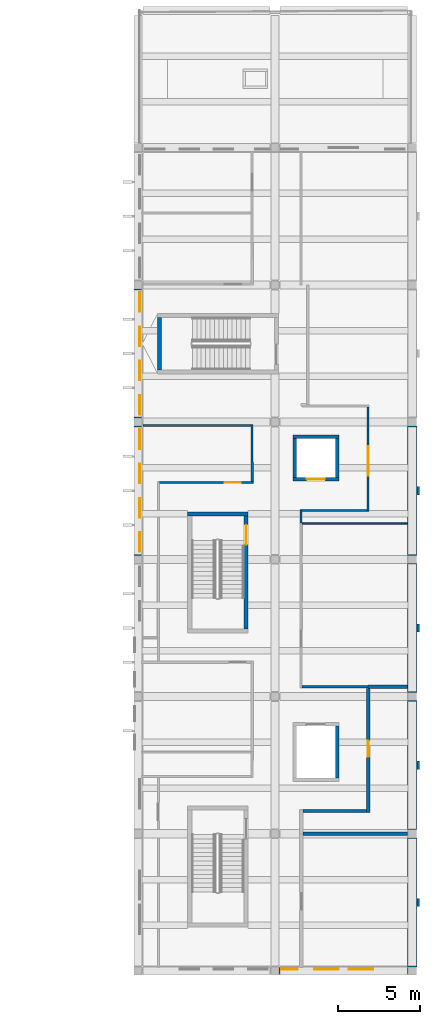
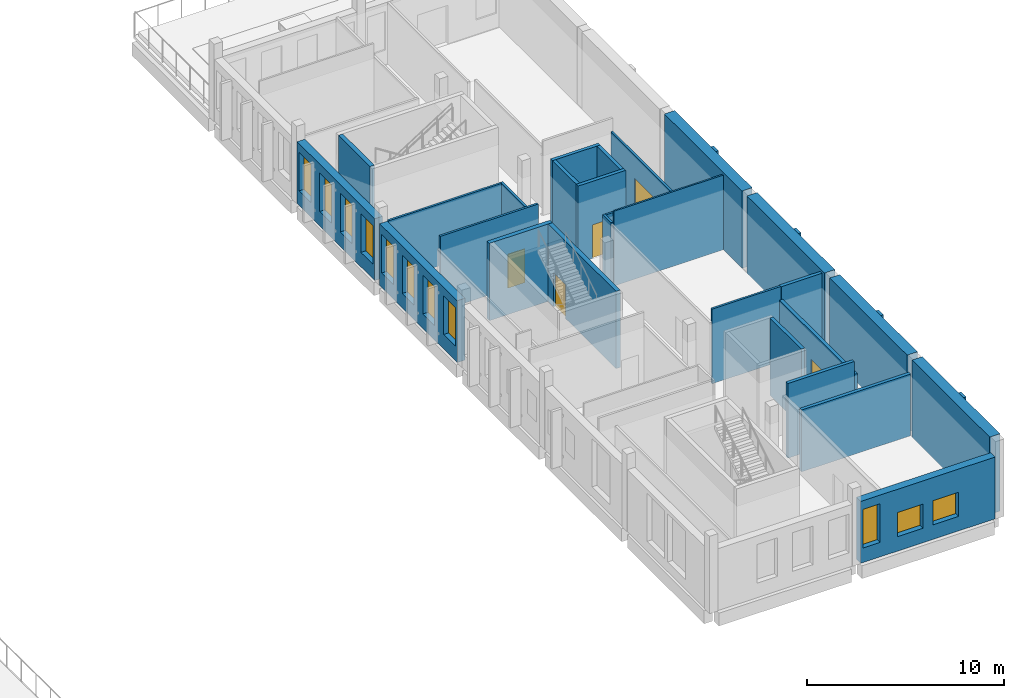
# One storey, part 16 of 79: 31 walls, 11 windows, 5 doors, 16 openings.
"""IFC4 building model written with IfcOpenShell, lengths in metres."""

from ifc_helpers import new_model, si_unit, direction, frame, frame_2d, origin, place, context, subcontext, project, spatial, rectangle, extrude, material, layer, layer_set, type_object, element, fill, save


model = new_model("IFC4")

# Units and contexts
model_context = context("Model", 3, precision=1e-05, world=origin(), true_north=direction((0.0, 1.0)))
body_context = subcontext(model_context, "Body", "Model", "MODEL_VIEW")
ifc_project = project(units=[si_unit("LENGTHUNIT", "METRE"), si_unit("AREAUNIT", "SQUARE_METRE"), si_unit("VOLUMEUNIT", "CUBIC_METRE"), si_unit("PLANEANGLEUNIT", "RADIAN"), si_unit("MASSUNIT", "GRAM", prefix="KILO")], contexts=[model_context])

# Site, building, storey
site_placement = place(None, origin())
site = spatial("IfcSite", under=ifc_project, at=site_placement, CompositionType="ELEMENT")
building_placement = place(site_placement, origin())
building = spatial("IfcBuilding", under=site, at=building_placement, Name="Larchfold Concert Hall", CompositionType="ELEMENT")
storey_placement = place(building_placement, frame((0.0, 0.0, 14.39990234375)))
storey = spatial("IfcBuildingStorey", under=building, at=storey_placement, Name="L03", CompositionType="ELEMENT", Elevation=14.39990234375)

# Wall
ifc_material_1 = material(Name="Plasterboard partition on steel studs", Category="steel")
ifc_layer_1 = layer(ifc_material_1, 0.199951171875)
ifc_layer_set_1 = layer_set([ifc_layer_1], Name="Plasterboard partition on steel studs")
wall_type_1 = type_object("IfcWallType", Name="Acoustic partition 200", PredefinedType="PARTITIONING", material=ifc_layer_set_1)
wall_1_placement = place(storey_placement, frame((94.699951171875, 9.0, 0.0), z_axis=(0.0, 0.0, 1.0), x_axis=(1.0, 0.0, 0.0)))
element("IfcWall", 1, at=wall_1_placement, inside=storey, type_object=wall_type_1, Name="Partition IW0017", PredefinedType="PARTITIONING", context=body_context, shape_type="SweptSolid", body=[
    extrude(rectangle(XDim=6.400146484375, YDim=0.199951171875, at=frame_2d((3.2001953125, 0.0))), origin(), (0.0, 0.0, 1.0), 3.840087890625),
])

# Wall, opening, door
wall_2_placement = place(storey_placement, frame((98.699951171875, 10.300048828125, 0.0), z_axis=(0.0, 0.0, 1.0), x_axis=(-0.000128497541, 0.999999991744, 0.0)))
wall_2 = element("IfcWall", 2, at=wall_2_placement, inside=storey, type_object=wall_type_1, Name="Partition IW0019", PredefinedType="PARTITIONING", context=body_context, shape_type="SweptSolid", body=[
    extrude(rectangle(XDim=7.599853515625, YDim=0.199951171875, at=frame_2d((3.7998046875, 0.0))), origin(), (0.0, 0.0, 1.0), 3.840087890625),
])
opening_1_placement = place(wall_2_placement, frame((3.409912109375, 0.0, 0.0)))
opening_1 = element("IfcOpeningElement", 3, at=opening_1_placement, cuts=wall_2, Name="Opening D-L03-109", PredefinedType="OPENING", context=body_context, shape_type="SweptSolid", body=[
    extrude(rectangle(XDim=1.0, YDim=2.10009765625, at=frame_2d((0.5, 1.050048828125))), frame((0.0, 0.10986328125, 0.0), z_axis=(0.0, -1.0, 0.0), x_axis=(1.0, 0.0, 0.0)), (0.0, 0.0, 1.0), 0.219970703125),
])
ifc_material_2 = material(Name="Timber door leaf", Category="wood")
door_type_1 = type_object("IfcDoorType", Name="Practice and studio door, acoustic 1000 x 2100 FD30S", OperationType="SINGLE_SWING_LEFT", PredefinedType="DOOR", material=ifc_material_2)
door_1_placement = place(opening_1_placement, origin())
door_1 = element("IfcDoor", 4, at=door_1_placement, inside=storey, type_object=door_type_1, Name="Door D-L03-109", OperationType="SINGLE_SWING_RIGHT", OverallHeight=2.10009765625, OverallWidth=1.0, PredefinedType="DOOR", context=body_context, shape_type="SweptSolid", body=[
    extrude(rectangle(XDim=1.0, YDim=2.10009765625, at=frame_2d((0.5, 1.050048828125))), frame((0.0, 0.02490234375, 0.0), z_axis=(0.0, -1.0, 0.0), x_axis=(1.0, 0.0, 0.0)), (0.0, 0.0, 1.0), 0.050048828125),
])
fill(opening_1, door_1)

# Walls
wall_3_placement = place(storey_placement, frame((94.699951171875, 10.39990234375, 0.0), z_axis=(0.0, 0.0, 1.0), x_axis=(1.0, 0.0, 0.0)))
element("IfcWall", 5, at=wall_3_placement, inside=storey, type_object=wall_type_1, Name="Partition IW0021", PredefinedType="PARTITIONING", context=body_context, shape_type="SweptSolid", body=[
    extrude(rectangle(XDim=3.900146484375, YDim=0.199951171875, at=frame_2d((1.9501953125, 0.0))), origin(), (0.0, 0.0, 1.0), 4.64013671875),
])
wall_4_placement = place(storey_placement, frame((98.698974609375, 18.0, 0.0), z_axis=(0.0, 0.0, 1.0), x_axis=(1.0, 0.0, 0.0)))
element("IfcWall", 6, at=wall_4_placement, inside=storey, type_object=wall_type_1, Name="Partition IW0022", PredefinedType="PARTITIONING", context=body_context, shape_type="SweptSolid", body=[
    extrude(rectangle(XDim=2.401123046875, YDim=0.199951171875, at=frame_2d((1.20068359375, 0.0))), origin(), (0.0, 0.0, 1.0), 4.64013671875),
])
ifc_material_3 = material(Name="Plasterboard partition on steel studs", Category="steel")
ifc_layer_2 = layer(ifc_material_3, 0.125)
ifc_layer_set_2 = layer_set([ifc_layer_2], Name="Plasterboard partition on steel studs")
wall_type_2 = type_object("IfcWallType", Name="Corridor partition 125 EI 60", PredefinedType="PARTITIONING", material=ifc_layer_set_2)
wall_5_placement = place(storey_placement, frame((94.66162109375, 18.0, 0.0), z_axis=(0.0, 0.0, 1.0), x_axis=(1.0, 0.0, 0.0)))
element("IfcWall", 7, at=wall_5_placement, inside=storey, type_object=wall_type_2, Name="Partition IW0027", PredefinedType="PARTITIONING", context=body_context, shape_type="SweptSolid", body=[
    extrude(rectangle(XDim=4.037353515625, YDim=0.125, at=frame_2d((2.0185546875, 0.0))), origin(), (0.0, 0.0, 1.0), 4.64013671875),
])

# Wall, opening, door
wall_6_placement = place(storey_placement, frame((85.91357421875, 30.4990234375, 0.0), z_axis=(0.0, 0.0, 1.0), x_axis=(1.0, 0.0, 0.0)))
wall_6 = element("IfcWall", 8, at=wall_6_placement, inside=storey, type_object=wall_type_2, Name="Partition IW0029", PredefinedType="PARTITIONING", context=body_context, shape_type="SweptSolid", body=[
    extrude(rectangle(XDim=5.75, YDim=0.125, at=frame_2d((2.875, 0.0))), origin(), (0.0, 0.0, 1.0), 4.64013671875),
])
opening_2_placement = place(wall_6_placement, frame((3.994384765625, 0.0, 0.0)))
opening_2 = element("IfcOpeningElement", 9, at=opening_2_placement, cuts=wall_6, Name="Opening D-L03-112", PredefinedType="OPENING", context=body_context, shape_type="SweptSolid", body=[
    extrude(rectangle(XDim=1.0, YDim=2.10009765625, at=frame_2d((0.5, 1.050048828125))), frame((0.0, 0.072509765625, 0.0), z_axis=(0.0, -1.0, 0.0), x_axis=(1.0, 0.0, 0.0)), (0.0, 0.0, 1.0), 0.14501953125),
])
ifc_material_4 = material(Name="Timber door leaf", Category="wood")
door_type_2 = type_object("IfcDoorType", Name="Room door 1000 x 2100 FD30S", OperationType="SINGLE_SWING_LEFT", PredefinedType="DOOR", material=ifc_material_4)
door_2_placement = place(opening_2_placement, origin())
door_2 = element("IfcDoor", 10, at=door_2_placement, inside=storey, type_object=door_type_2, Name="Door D-L03-112", OperationType="SINGLE_SWING_RIGHT", OverallHeight=2.10009765625, OverallWidth=1.0, PredefinedType="DOOR", context=body_context, shape_type="SweptSolid", body=[
    extrude(rectangle(XDim=1.0, YDim=2.10009765625, at=frame_2d((0.5, 1.050048828125))), frame((0.0, 0.02490234375, 0.0), z_axis=(0.0, -1.0, 0.0), x_axis=(1.0, 0.0, 0.0)), (0.0, 0.0, 1.0), 0.050048828125),
])
fill(opening_2, door_2)

# Walls
wall_7_placement = place(storey_placement, frame((91.60107421875, 30.5615234375, 0.0), z_axis=(0.0, 0.0, 1.0), x_axis=(-0.000278940017, 0.999999961096, 0.0)))
element("IfcWall", 11, at=wall_7_placement, inside=storey, type_object=wall_type_2, Name="Partition IW0030", PredefinedType="PARTITIONING", context=body_context, shape_type="SweptSolid", body=[
    extrude(rectangle(XDim=3.5009765625, YDim=0.125, at=frame_2d((1.75048828125, 0.0))), origin(), (0.0, 0.0, 1.0), 3.840087890625),
])
wall_8_placement = place(storey_placement, frame((91.53759765625, 34.0, 0.0), z_axis=(0.0, 0.0, 1.0), x_axis=(-1.0, 0.0, 0.0)))
element("IfcWall", 12, at=wall_8_placement, inside=storey, type_object=wall_type_2, Name="Partition IW0031", PredefinedType="PARTITIONING", context=body_context, shape_type="SweptSolid", body=[
    extrude(rectangle(XDim=6.6376953125, YDim=0.125, at=frame_2d((3.31884765625, 0.0))), origin(), (0.0, 0.0, 1.0), 3.840087890625),
])

# Wall, opening, door
wall_9_placement = place(storey_placement, frame((98.698974609375, 35.136474609375, 0.0), z_axis=(0.0, 0.0, 1.0), x_axis=(0.0, -1.0, 0.0)))
wall_9 = element("IfcWall", 13, at=wall_9_placement, inside=storey, type_object=wall_type_2, Name="Partition IW0038", PredefinedType="PARTITIONING", context=body_context, shape_type="SweptSolid", body=[
    extrude(rectangle(XDim=6.39794921875, YDim=0.125, at=frame_2d((3.198974609375, 0.0))), origin(), (0.0, 0.0, 1.0), 3.840087890625),
])
opening_3_placement = place(wall_9_placement, frame((2.42578125, 0.0, 0.0)))
opening_3 = element("IfcOpeningElement", 14, at=opening_3_placement, cuts=wall_9, Name="Opening D-L03-115", PredefinedType="OPENING", context=body_context, shape_type="SweptSolid", body=[
    extrude(rectangle(XDim=1.800048828125, YDim=2.39990234375, at=frame_2d((0.89990234375, 1.199951171875))), frame((0.0, 0.072509765625, 0.0), z_axis=(0.0, -1.0, 0.0), x_axis=(1.0, 0.0, 0.0)), (0.0, 0.0, 1.0), 0.14501953125),
])
ifc_material_5 = material(Name="Timber door leaf", Category="wood")
door_type_3 = type_object("IfcDoorType", Name="Stage and workshop door pair 1800 x 2400 FD30S", OperationType="SINGLE_SWING_LEFT", PredefinedType="DOOR", material=ifc_material_5)
door_3_placement = place(opening_3_placement, origin())
door_3 = element("IfcDoor", 15, at=door_3_placement, inside=storey, type_object=door_type_3, Name="Door D-L03-115", OperationType="DOUBLE_DOOR_SINGLE_SWING", OverallHeight=2.39990234375, OverallWidth=1.800048828125, PredefinedType="DOOR", context=body_context, shape_type="SweptSolid", body=[
    extrude(rectangle(XDim=1.800048828125, YDim=2.39990234375, at=frame_2d((0.89990234375, 1.199951171875))), frame((0.0, 0.02490234375, 0.0), z_axis=(0.0, -1.0, 0.0), x_axis=(1.0, 0.0, 0.0)), (0.0, 0.0, 1.0), 0.050048828125),
])
fill(opening_3, door_3)

# Walls
wall_10_placement = place(storey_placement, frame((98.636474609375, 28.801025390625, 0.0), z_axis=(0.0, 0.0, 1.0), x_axis=(-1.0, 0.0, 0.0)))
element("IfcWall", 16, at=wall_10_placement, inside=storey, type_object=wall_type_2, Name="Partition IW0039", PredefinedType="PARTITIONING", context=body_context, shape_type="SweptSolid", body=[
    extrude(rectangle(XDim=3.974853515625, YDim=0.125, at=frame_2d((1.9873046875, 0.0))), origin(), (0.0, 0.0, 1.0), 3.93994140625),
])
wall_11_placement = place(storey_placement, frame((94.59912109375, 28.863525390625, 0.0), z_axis=(0.0, 0.0, 1.0), x_axis=(0.0, -1.0, 0.0)))
element("IfcWall", 17, at=wall_11_placement, inside=storey, type_object=wall_type_2, Name="Partition IW0040", PredefinedType="PARTITIONING", context=body_context, shape_type="SweptSolid", body=[
    extrude(rectangle(XDim=0.843505859375, YDim=0.125, at=frame_2d((0.421875, 0.0))), origin(), (0.0, 0.0, 1.0), 3.93994140625),
])
ifc_material_6 = material(Name="Plasterboard partition on steel studs", Category="steel")
ifc_layer_3 = layer(ifc_material_6, 0.10009765625)
ifc_layer_set_3 = layer_set([ifc_layer_3], Name="Plasterboard partition on steel studs")
wall_type_3 = type_object("IfcWallType", Name="Stud partition 100", PredefinedType="PARTITIONING", material=ifc_layer_set_3)
wall_12_placement = place(storey_placement, frame((94.6650390625, 28.0, 0.0), z_axis=(0.0, 0.0, 1.0), x_axis=(1.0, 0.0, 0.0)))
element("IfcWall", 18, at=wall_12_placement, inside=storey, type_object=wall_type_3, Name="Partition IW0042", PredefinedType="PARTITIONING", context=body_context, shape_type="SweptSolid", body=[
    extrude(rectangle(XDim=6.43505859375, YDim=0.10009765625, at=frame_2d((3.217529296875, 0.0))), origin(), (0.0, 0.0, 1.0), 4.64013671875),
])
ifc_material_7 = material(Name="Concrete C40/50", Category="concrete")
ifc_layer_4 = layer(ifc_material_7, 0.199951171875)
ifc_layer_set_4 = layer_set([ifc_layer_4], Name="Concrete C40/50")
wall_type_4 = type_object("IfcWallType", Name="Wall RC 200 lift shaft", PredefinedType="SOLIDWALL", material=ifc_layer_set_4)
wall_13_placement = place(storey_placement, frame((96.7998046875, 12.39990234375, 0.0), z_axis=(0.0, 0.0, 1.0), x_axis=(0.0, 1.0, 0.0)))
element("IfcWall", 19, at=wall_13_placement, inside=storey, type_object=wall_type_4, Name="Wall W0133", PredefinedType="SOLIDWALL", context=body_context, shape_type="SweptSolid", body=[
    extrude(rectangle(XDim=3.2001953125, YDim=0.199951171875, at=frame_2d((1.60009765625, 0.0))), origin(), (0.0, 0.0, 1.0), 4.800048828125),
])

# Wall, opening, door
wall_14_placement = place(storey_placement, frame((94.10009765625, 30.7001953125, 0.0), z_axis=(0.0, 0.0, 1.0), x_axis=(1.0, 0.0, 0.0)))
wall_14 = element("IfcWall", 20, at=wall_14_placement, inside=storey, type_object=wall_type_4, Name="Wall W0134", PredefinedType="SOLIDWALL", context=body_context, shape_type="SweptSolid", body=[
    extrude(rectangle(XDim=2.7998046875, YDim=0.199951171875, at=frame_2d((1.39990234375, 0.0))), origin(), (0.0, 0.0, 1.0), 4.800048828125),
])
opening_4_placement = place(wall_14_placement, frame((0.849853515625, 0.0, 0.0)))
opening_4 = element("IfcOpeningElement", 21, at=opening_4_placement, cuts=wall_14, Name="Opening LD-LF07", PredefinedType="OPENING", context=body_context, shape_type="SweptSolid", body=[
    extrude(rectangle(XDim=1.10009765625, YDim=2.10009765625, at=frame_2d((0.550048828125, 1.050048828125))), frame((0.0, 0.10986328125, 0.0), z_axis=(0.0, -1.0, 0.0), x_axis=(1.0, 0.0, 0.0)), (0.0, 0.0, 1.0), 0.219970703125),
])
ifc_material_8 = material(Name="Stainless steel sliding leaves", Category="steel")
door_type_4 = type_object("IfcDoorType", Name="Lift landing door sliding 1100 x 2100", OperationType="SLIDING_TO_LEFT", PredefinedType="DOOR", material=ifc_material_8)
door_4_placement = place(opening_4_placement, origin())
door_4 = element("IfcDoor", 22, at=door_4_placement, inside=storey, type_object=door_type_4, Name="Lift landing door LF07", OperationType="SLIDING_TO_LEFT", OverallHeight=2.10009765625, OverallWidth=1.10009765625, PredefinedType="DOOR", context=body_context, shape_type="SweptSolid", body=[
    extrude(rectangle(XDim=1.10009765625, YDim=2.10009765625, at=frame_2d((0.550048828125, 1.050048828125))), frame((0.0, 0.02490234375, 0.0), z_axis=(0.0, -1.0, 0.0), x_axis=(1.0, 0.0, 0.0)), (0.0, 0.0, 1.0), 0.050048828125),
])
fill(opening_4, door_4)

# Walls
wall_15_placement = place(storey_placement, frame((94.10009765625, 33.2998046875, 0.0), z_axis=(0.0, 0.0, 1.0), x_axis=(1.0, 0.0, 0.0)))
element("IfcWall", 23, at=wall_15_placement, inside=storey, type_object=wall_type_4, Name="Wall W0135", PredefinedType="SOLIDWALL", context=body_context, shape_type="SweptSolid", body=[
    extrude(rectangle(XDim=2.7998046875, YDim=0.199951171875, at=frame_2d((1.39990234375, 0.0))), origin(), (0.0, 0.0, 1.0), 4.800048828125),
])
for number, where, z_axis, x_axis, name in (
    (24, (94.2001953125, 30.800048828125, 0.0), (0.0, 0.0, 1.0), (0.0, 1.0, 0.0), "Wall W0136"),
    (25, (96.7998046875, 30.800048828125, 0.0), (0.0, 0.0, 1.0), (0.0, 1.0, 0.0), "Wall W0137"),
):
    element("IfcWall", number, at=place(storey_placement, frame(where, z_axis=z_axis, x_axis=x_axis)), inside=storey, type_object=wall_type_4, Name=name, PredefinedType="SOLIDWALL", context=body_context, shape_type="SweptSolid", body=[
        extrude(rectangle(XDim=2.39990234375, YDim=0.199951171875, at=frame_2d((1.199951171875, 0.0))), origin(), (0.0, 0.0, 1.0), 4.800048828125),
    ])
ifc_material_9 = material(Name="Concrete C40/50", Category="concrete")
ifc_layer_5 = layer(ifc_material_9, 0.25)
ifc_layer_set_5 = layer_set([ifc_layer_5], Name="Concrete C40/50")
wall_type_5 = type_object("IfcWallType", Name="Wall RC 250 stair core", PredefinedType="SOLIDWALL", material=ifc_layer_set_5)
wall_16_placement = place(storey_placement, frame((87.64990234375, 28.574951171875, 0.0), z_axis=(0.0, 0.0, 1.0), x_axis=(1.0, 0.0, 0.0)))
element("IfcWall", 26, at=wall_16_placement, inside=storey, type_object=wall_type_5, Name="Wall W0083", PredefinedType="SOLIDWALL", context=body_context, shape_type="SweptSolid", body=[
    extrude(rectangle(XDim=3.7001953125, YDim=0.25, at=frame_2d((1.85009765625, 0.0))), origin(), (0.0, 0.0, 1.0), 4.800048828125),
])

# Wall, opening, door
wall_17_placement = place(storey_placement, frame((91.22509765625, 21.550048828125, 0.0), z_axis=(0.0, 0.0, 1.0), x_axis=(0.0, 1.0, 0.0)))
wall_17 = element("IfcWall", 27, at=wall_17_placement, inside=storey, type_object=wall_type_5, Name="Wall W0085", PredefinedType="SOLIDWALL", context=body_context, shape_type="SweptSolid", body=[
    extrude(rectangle(XDim=6.89990234375, YDim=0.25, at=frame_2d((3.449951171875, 0.0))), origin(), (0.0, 0.0, 1.0), 4.800048828125),
])
opening_5_placement = place(wall_17_placement, frame((5.14990234375, 0.0, 0.0)))
opening_5 = element("IfcOpeningElement", 28, at=opening_5_placement, cuts=wall_17, Name="Opening D-L03-142", PredefinedType="OPENING", context=body_context, shape_type="SweptSolid", body=[
    extrude(rectangle(XDim=1.199951171875, YDim=2.10009765625, at=frame_2d((0.60009765625, 1.050048828125))), frame((0.0, 0.135009765625, 0.0), z_axis=(0.0, -1.0, 0.0), x_axis=(1.0, 0.0, 0.0)), (0.0, 0.0, 1.0), 0.27001953125),
])
ifc_material_10 = material(Name="Timber door leaf", Category="wood")
door_type_5 = type_object("IfcDoorType", Name="Stair enclosure door pair 1200 x 2100 FD60", OperationType="SINGLE_SWING_LEFT", PredefinedType="DOOR", material=ifc_material_10)
door_5_placement = place(opening_5_placement, origin())
door_5 = element("IfcDoor", 29, at=door_5_placement, inside=storey, type_object=door_type_5, Name="Door D-L03-142", OperationType="DOUBLE_DOOR_SINGLE_SWING", OverallHeight=2.10009765625, OverallWidth=1.199951171875, PredefinedType="DOOR", context=body_context, shape_type="SweptSolid", body=[
    extrude(rectangle(XDim=1.199951171875, YDim=2.10009765625, at=frame_2d((0.60009765625, 1.050048828125))), frame((0.0, 0.02490234375, 0.0), z_axis=(0.0, -1.0, 0.0), x_axis=(1.0, 0.0, 0.0)), (0.0, 0.0, 1.0), 0.050048828125),
])
fill(opening_5, door_5)

# Walls
wall_18_placement = place(storey_placement, frame((85.925048828125, 37.39990234375, 0.0), z_axis=(0.0, 0.0, 1.0), x_axis=(0.0, 1.0, 0.0)))
element("IfcWall", 30, at=wall_18_placement, inside=storey, type_object=wall_type_5, Name="Wall W0088", PredefinedType="SOLIDWALL", context=body_context, shape_type="SweptSolid", body=[
    extrude(rectangle(XDim=3.2001953125, YDim=0.25, at=frame_2d((1.60009765625, 0.0))), origin(), (0.0, 0.0, 1.0), 4.800048828125),
])
ifc_material_11 = material(Name="Concrete C40/50", Category="concrete")
ifc_layer_6 = layer(ifc_material_11, 0.60009765625)
ifc_layer_set_6 = layer_set([ifc_layer_6], Name="Concrete C40/50")
wall_type_6 = type_object("IfcWallType", Name="Wall RC 600 party wall", PredefinedType="SOLIDWALL", material=ifc_layer_set_6)
for number, where, z_axis, x_axis, name in (
    (31, (101.39990234375, 0.85009765625, 0.0), (0.0, 0.0, 1.0), (0.0, 1.0, 0.0), "Wall W0020"),
    (32, (101.39990234375, 9.25, 0.0), (0.0, 0.0, 1.0), (0.0, 1.0, 0.0), "Wall W0021"),
):
    element("IfcWall", number, at=place(storey_placement, frame(where, z_axis=z_axis, x_axis=x_axis)), inside=storey, type_object=wall_type_6, Name=name, PredefinedType="SOLIDWALL", context=body_context, shape_type="SweptSolid", body=[
        extrude(rectangle(XDim=7.89990234375, YDim=0.60009765625, at=frame_2d((3.949951171875, 0.0))), origin(), (0.0, 0.0, 1.0), 4.800048828125),
    ])
wall_19_placement = place(storey_placement, frame((101.39990234375, 17.64990234375, 0.0), z_axis=(0.0, 0.0, 1.0), x_axis=(0.0, 1.0, 0.0)))
element("IfcWall", 33, at=wall_19_placement, inside=storey, type_object=wall_type_6, Name="Wall W0022", PredefinedType="SOLIDWALL", context=body_context, shape_type="SweptSolid", body=[
    extrude(rectangle(XDim=7.900146484375, YDim=0.60009765625, at=frame_2d((3.9501953125, 0.0))), origin(), (0.0, 0.0, 1.0), 4.800048828125),
])
wall_20_placement = place(storey_placement, frame((101.39990234375, 26.050048828125, 0.0), z_axis=(0.0, 0.0, 1.0), x_axis=(0.0, 1.0, 0.0)))
element("IfcWall", 34, at=wall_20_placement, inside=storey, type_object=wall_type_6, Name="Wall W0023", PredefinedType="SOLIDWALL", context=body_context, shape_type="SweptSolid", body=[
    extrude(rectangle(XDim=7.89990234375, YDim=0.60009765625, at=frame_2d((3.949951171875, 0.0))), origin(), (0.0, 0.0, 1.0), 4.800048828125),
])

# Wall, openings, windows
ifc_material_12 = material(Name="White render on mineral wool and block")
ifc_layer_7 = layer(ifc_material_12, 0.449951171875)
ifc_layer_set_7 = layer_set([ifc_layer_7], Name="White render on mineral wool and block")
wall_type_7 = type_object("IfcWallType", Name="White render infill wall 450", PredefinedType="SOLIDWALL", material=ifc_layer_set_7)
wall_21_placement = place(storey_placement, frame((84.60009765625, 42.35009765625, 0.0), z_axis=(0.0, 0.0, 1.0), x_axis=(0.0, -1.0, 0.0)))
wall_21 = element("IfcWall", 35, at=wall_21_placement, inside=storey, type_object=wall_type_7, Name="Infill wall W5159", PredefinedType="SOLIDWALL", context=body_context, shape_type="SweptSolid", body=[
    extrude(rectangle(XDim=7.900146484375, YDim=0.449951171875, at=frame_2d((3.9501953125, 0.0))), origin(), (0.0, 0.0, 1.0), 3.840087890625),
])
opening_6_placement = place(wall_21_placement, frame((6.5, 0.0, 0.89990234375)))
opening_6 = element("IfcOpeningElement", 36, at=opening_6_placement, cuts=wall_21, Name="Opening WN-L03-071", PredefinedType="OPENING", context=body_context, shape_type="SweptSolid", body=[
    extrude(rectangle(XDim=1.199951171875, YDim=2.39990234375, at=frame_2d((0.60009765625, 1.199951171875))), frame((0.0, 0.23486328125, 0.0), z_axis=(0.0, -1.0, 0.0), x_axis=(1.0, 0.0, 0.0)), (0.0, 0.0, 1.0), 0.469970703125),
])
opening_7_placement = place(wall_21_placement, frame((4.400146484375, 0.0, 0.89990234375)))
opening_7 = element("IfcOpeningElement", 37, at=opening_7_placement, cuts=wall_21, Name="Opening WN-L03-072", PredefinedType="OPENING", context=body_context, shape_type="SweptSolid", body=[
    extrude(rectangle(XDim=1.199951171875, YDim=2.39990234375, at=frame_2d((0.60009765625, 1.199951171875))), frame((0.0, 0.23486328125, 0.0), z_axis=(0.0, -1.0, 0.0), x_axis=(1.0, 0.0, 0.0)), (0.0, 0.0, 1.0), 0.469970703125),
])
opening_8_placement = place(wall_21_placement, frame((2.300048828125, 0.0, 0.89990234375)))
opening_8 = element("IfcOpeningElement", 38, at=opening_8_placement, cuts=wall_21, Name="Opening WN-L03-073", PredefinedType="OPENING", context=body_context, shape_type="SweptSolid", body=[
    extrude(rectangle(XDim=1.199951171875, YDim=2.39990234375, at=frame_2d((0.60009765625, 1.199951171875))), frame((0.0, 0.23486328125, 0.0), z_axis=(0.0, -1.0, 0.0), x_axis=(1.0, 0.0, 0.0)), (0.0, 0.0, 1.0), 0.469970703125),
])
opening_9_placement = place(wall_21_placement, frame((0.2001953125, 0.0, 0.89990234375)))
opening_9 = element("IfcOpeningElement", 39, at=opening_9_placement, cuts=wall_21, Name="Opening WN-L03-074", PredefinedType="OPENING", context=body_context, shape_type="SweptSolid", body=[
    extrude(rectangle(XDim=1.199951171875, YDim=2.39990234375, at=frame_2d((0.60009765625, 1.199951171875))), frame((0.0, 0.23486328125, 0.0), z_axis=(0.0, -1.0, 0.0), x_axis=(1.0, 0.0, 0.0)), (0.0, 0.0, 1.0), 0.469970703125),
])
ifc_material_13 = material(Name="Anodised graphite aluminium frame with glass", Category="aluminium")
window_type_1 = type_object("IfcWindowType", Name="Slot window 1200x2400", PartitioningType="SINGLE_PANEL", PredefinedType="WINDOW", material=ifc_material_13)
window_1_placement = place(opening_6_placement, origin())
window_1 = element("IfcWindow", 40, at=window_1_placement, inside=storey, type_object=window_type_1, Name="Window WN-L03-071", OverallHeight=2.39990234375, OverallWidth=1.199951171875, PartitioningType="SINGLE_PANEL", PredefinedType="WINDOW", context=body_context, shape_type="SweptSolid", body=[
    extrude(rectangle(XDim=1.199951171875, YDim=2.39990234375, at=frame_2d((0.60009765625, 1.199951171875))), frame((0.0, 0.135009765625, 0.0), z_axis=(0.0, -1.0, 0.0), x_axis=(1.0, 0.0, 0.0)), (0.0, 0.0, 1.0), 0.06005859375),
])
fill(opening_6, window_1)
window_2_placement = place(opening_7_placement, origin())
window_2 = element("IfcWindow", 41, at=window_2_placement, inside=storey, type_object=window_type_1, Name="Window WN-L03-072", OverallHeight=2.39990234375, OverallWidth=1.199951171875, PartitioningType="SINGLE_PANEL", PredefinedType="WINDOW", context=body_context, shape_type="SweptSolid", body=[
    extrude(rectangle(XDim=1.199951171875, YDim=2.39990234375, at=frame_2d((0.60009765625, 1.199951171875))), frame((0.0, 0.135009765625, 0.0), z_axis=(0.0, -1.0, 0.0), x_axis=(1.0, 0.0, 0.0)), (0.0, 0.0, 1.0), 0.06005859375),
])
fill(opening_7, window_2)
window_3_placement = place(opening_8_placement, origin())
window_3 = element("IfcWindow", 42, at=window_3_placement, inside=storey, type_object=window_type_1, Name="Window WN-L03-073", OverallHeight=2.39990234375, OverallWidth=1.199951171875, PartitioningType="SINGLE_PANEL", PredefinedType="WINDOW", context=body_context, shape_type="SweptSolid", body=[
    extrude(rectangle(XDim=1.199951171875, YDim=2.39990234375, at=frame_2d((0.60009765625, 1.199951171875))), frame((0.0, 0.135009765625, 0.0), z_axis=(0.0, -1.0, 0.0), x_axis=(1.0, 0.0, 0.0)), (0.0, 0.0, 1.0), 0.06005859375),
])
fill(opening_8, window_3)
window_4_placement = place(opening_9_placement, origin())
window_4 = element("IfcWindow", 43, at=window_4_placement, inside=storey, type_object=window_type_1, Name="Window WN-L03-074", OverallHeight=2.39990234375, OverallWidth=1.199951171875, PartitioningType="SINGLE_PANEL", PredefinedType="WINDOW", context=body_context, shape_type="SweptSolid", body=[
    extrude(rectangle(XDim=1.199951171875, YDim=2.39990234375, at=frame_2d((0.60009765625, 1.199951171875))), frame((0.0, 0.135009765625, 0.0), z_axis=(0.0, -1.0, 0.0), x_axis=(1.0, 0.0, 0.0)), (0.0, 0.0, 1.0), 0.06005859375),
])
fill(opening_9, window_4)

wall_22_placement = place(storey_placement, frame((84.60009765625, 33.949951171875, 0.0), z_axis=(0.0, 0.0, 1.0), x_axis=(0.0, -1.0, 0.0)))
wall_22 = element("IfcWall", 44, at=wall_22_placement, inside=storey, type_object=wall_type_7, Name="Infill wall W5160", PredefinedType="SOLIDWALL", context=body_context, shape_type="SweptSolid", body=[
    extrude(rectangle(XDim=7.89990234375, YDim=0.449951171875, at=frame_2d((3.949951171875, 0.0))), origin(), (0.0, 0.0, 1.0), 3.840087890625),
])
opening_10_placement = place(wall_22_placement, frame((6.5, 0.0, 0.89990234375)))
opening_10 = element("IfcOpeningElement", 45, at=opening_10_placement, cuts=wall_22, Name="Opening WN-L03-075", PredefinedType="OPENING", context=body_context, shape_type="SweptSolid", body=[
    extrude(rectangle(XDim=1.199951171875, YDim=2.39990234375, at=frame_2d((0.60009765625, 1.199951171875))), frame((0.0, 0.23486328125, 0.0), z_axis=(0.0, -1.0, 0.0), x_axis=(1.0, 0.0, 0.0)), (0.0, 0.0, 1.0), 0.469970703125),
])
opening_11_placement = place(wall_22_placement, frame((4.39990234375, 0.0, 0.89990234375)))
opening_11 = element("IfcOpeningElement", 46, at=opening_11_placement, cuts=wall_22, Name="Opening WN-L03-076", PredefinedType="OPENING", context=body_context, shape_type="SweptSolid", body=[
    extrude(rectangle(XDim=1.199951171875, YDim=2.39990234375, at=frame_2d((0.60009765625, 1.199951171875))), frame((0.0, 0.23486328125, 0.0), z_axis=(0.0, -1.0, 0.0), x_axis=(1.0, 0.0, 0.0)), (0.0, 0.0, 1.0), 0.469970703125),
])
opening_12_placement = place(wall_22_placement, frame((2.300048828125, 0.0, 0.89990234375)))
opening_12 = element("IfcOpeningElement", 47, at=opening_12_placement, cuts=wall_22, Name="Opening WN-L03-077", PredefinedType="OPENING", context=body_context, shape_type="SweptSolid", body=[
    extrude(rectangle(XDim=1.199951171875, YDim=2.39990234375, at=frame_2d((0.60009765625, 1.199951171875))), frame((0.0, 0.23486328125, 0.0), z_axis=(0.0, -1.0, 0.0), x_axis=(1.0, 0.0, 0.0)), (0.0, 0.0, 1.0), 0.469970703125),
])
opening_13_placement = place(wall_22_placement, frame((0.199951171875, 0.0, 0.89990234375)))
opening_13 = element("IfcOpeningElement", 48, at=opening_13_placement, cuts=wall_22, Name="Opening WN-L03-078", PredefinedType="OPENING", context=body_context, shape_type="SweptSolid", body=[
    extrude(rectangle(XDim=1.199951171875, YDim=2.39990234375, at=frame_2d((0.60009765625, 1.199951171875))), frame((0.0, 0.23486328125, 0.0), z_axis=(0.0, -1.0, 0.0), x_axis=(1.0, 0.0, 0.0)), (0.0, 0.0, 1.0), 0.469970703125),
])
window_5_placement = place(opening_10_placement, origin())
window_5 = element("IfcWindow", 49, at=window_5_placement, inside=storey, type_object=window_type_1, Name="Window WN-L03-075", OverallHeight=2.39990234375, OverallWidth=1.199951171875, PartitioningType="SINGLE_PANEL", PredefinedType="WINDOW", context=body_context, shape_type="SweptSolid", body=[
    extrude(rectangle(XDim=1.199951171875, YDim=2.39990234375, at=frame_2d((0.60009765625, 1.199951171875))), frame((0.0, 0.135009765625, 0.0), z_axis=(0.0, -1.0, 0.0), x_axis=(1.0, 0.0, 0.0)), (0.0, 0.0, 1.0), 0.06005859375),
])
fill(opening_10, window_5)
window_6_placement = place(opening_11_placement, origin())
window_6 = element("IfcWindow", 50, at=window_6_placement, inside=storey, type_object=window_type_1, Name="Window WN-L03-076", OverallHeight=2.39990234375, OverallWidth=1.199951171875, PartitioningType="SINGLE_PANEL", PredefinedType="WINDOW", context=body_context, shape_type="SweptSolid", body=[
    extrude(rectangle(XDim=1.199951171875, YDim=2.39990234375, at=frame_2d((0.60009765625, 1.199951171875))), frame((0.0, 0.135009765625, 0.0), z_axis=(0.0, -1.0, 0.0), x_axis=(1.0, 0.0, 0.0)), (0.0, 0.0, 1.0), 0.06005859375),
])
fill(opening_11, window_6)
window_7_placement = place(opening_12_placement, origin())
window_7 = element("IfcWindow", 51, at=window_7_placement, inside=storey, type_object=window_type_1, Name="Window WN-L03-077", OverallHeight=2.39990234375, OverallWidth=1.199951171875, PartitioningType="SINGLE_PANEL", PredefinedType="WINDOW", context=body_context, shape_type="SweptSolid", body=[
    extrude(rectangle(XDim=1.199951171875, YDim=2.39990234375, at=frame_2d((0.60009765625, 1.199951171875))), frame((0.0, 0.135009765625, 0.0), z_axis=(0.0, -1.0, 0.0), x_axis=(1.0, 0.0, 0.0)), (0.0, 0.0, 1.0), 0.06005859375),
])
fill(opening_12, window_7)
window_8_placement = place(opening_13_placement, origin())
window_8 = element("IfcWindow", 52, at=window_8_placement, inside=storey, type_object=window_type_1, Name="Window WN-L03-078", OverallHeight=2.39990234375, OverallWidth=1.199951171875, PartitioningType="SINGLE_PANEL", PredefinedType="WINDOW", context=body_context, shape_type="SweptSolid", body=[
    extrude(rectangle(XDim=1.199951171875, YDim=2.39990234375, at=frame_2d((0.60009765625, 1.199951171875))), frame((0.0, 0.135009765625, 0.0), z_axis=(0.0, -1.0, 0.0), x_axis=(1.0, 0.0, 0.0)), (0.0, 0.0, 1.0), 0.06005859375),
])
fill(opening_13, window_8)

wall_23_placement = place(storey_placement, frame((93.25, 0.60009765625, 0.0), z_axis=(0.0, 0.0, 1.0), x_axis=(1.0, 0.0, 0.0)))
wall_23 = element("IfcWall", 53, at=wall_23_placement, inside=storey, type_object=wall_type_7, Name="Infill wall W5165", PredefinedType="SOLIDWALL", context=body_context, shape_type="SweptSolid", body=[
    extrude(rectangle(XDim=7.89990234375, YDim=0.449951171875, at=frame_2d((3.949951171875, 0.0))), origin(), (0.0, 0.0, 1.0), 3.840087890625),
])
opening_14_placement = place(wall_23_placement, frame((0.135009765625, 0.0, 0.89990234375)))
opening_14 = element("IfcOpeningElement", 54, at=opening_14_placement, cuts=wall_23, Name="Opening WN-L03-091", PredefinedType="OPENING", context=body_context, shape_type="SweptSolid", body=[
    extrude(rectangle(XDim=1.0, YDim=2.39990234375, at=frame_2d((0.5, 1.199951171875))), frame((0.0, 0.23486328125, 0.0), z_axis=(0.0, -1.0, 0.0), x_axis=(1.0, 0.0, 0.0)), (0.0, 0.0, 1.0), 0.469970703125),
])
opening_15_placement = place(wall_23_placement, frame((2.14990234375, 0.0, 0.89990234375)))
opening_15 = element("IfcOpeningElement", 55, at=opening_15_placement, cuts=wall_23, Name="Opening WN-L03-092", PredefinedType="OPENING", context=body_context, shape_type="SweptSolid", body=[
    extrude(rectangle(XDim=1.5, YDim=1.5, at=frame_2d((0.75, 0.75))), frame((0.0, 0.23486328125, 0.0), z_axis=(0.0, -1.0, 0.0), x_axis=(1.0, 0.0, 0.0)), (0.0, 0.0, 1.0), 0.469970703125),
])
opening_16_placement = place(wall_23_placement, frame((4.25, 0.0, 0.89990234375)))
opening_16 = element("IfcOpeningElement", 56, at=opening_16_placement, cuts=wall_23, Name="Opening WN-L03-093", PredefinedType="OPENING", context=body_context, shape_type="SweptSolid", body=[
    extrude(rectangle(XDim=1.5, YDim=1.5, at=frame_2d((0.75, 0.75))), frame((0.0, 0.23486328125, 0.0), z_axis=(0.0, -1.0, 0.0), x_axis=(1.0, 0.0, 0.0)), (0.0, 0.0, 1.0), 0.469970703125),
])
ifc_material_14 = material(Name="Anodised graphite aluminium frame with glass", Category="aluminium")
window_type_2 = type_object("IfcWindowType", Name="Slot window 1000x2400", PartitioningType="SINGLE_PANEL", PredefinedType="WINDOW", material=ifc_material_14)
window_9_placement = place(opening_14_placement, origin())
window_9 = element("IfcWindow", 57, at=window_9_placement, inside=storey, type_object=window_type_2, Name="Window WN-L03-091", OverallHeight=2.39990234375, OverallWidth=1.0, PartitioningType="SINGLE_PANEL", PredefinedType="WINDOW", context=body_context, shape_type="SweptSolid", body=[
    extrude(rectangle(XDim=1.0, YDim=2.39990234375, at=frame_2d((0.5, 1.199951171875))), frame((0.0, 0.135009765625, 0.0), z_axis=(0.0, -1.0, 0.0), x_axis=(1.0, 0.0, 0.0)), (0.0, 0.0, 1.0), 0.06005859375),
])
fill(opening_14, window_9)
ifc_material_15 = material(Name="Anodised graphite aluminium frame with glass", Category="aluminium")
window_type_3 = type_object("IfcWindowType", Name="Studio window 1500x1500", PartitioningType="DOUBLE_PANEL_VERTICAL", PredefinedType="WINDOW", material=ifc_material_15)
window_10_placement = place(opening_15_placement, origin())
window_10 = element("IfcWindow", 58, at=window_10_placement, inside=storey, type_object=window_type_3, Name="Window WN-L03-092", OverallHeight=1.5, OverallWidth=1.5, PartitioningType="DOUBLE_PANEL_VERTICAL", PredefinedType="WINDOW", context=body_context, shape_type="SweptSolid", body=[
    extrude(rectangle(XDim=1.5, YDim=1.5, at=frame_2d((0.75, 0.75))), frame((0.0, 0.135009765625, 0.0), z_axis=(0.0, -1.0, 0.0), x_axis=(1.0, 0.0, 0.0)), (0.0, 0.0, 1.0), 0.06005859375),
])
fill(opening_15, window_10)
window_11_placement = place(opening_16_placement, origin())
window_11 = element("IfcWindow", 59, at=window_11_placement, inside=storey, type_object=window_type_3, Name="Window WN-L03-093", OverallHeight=1.5, OverallWidth=1.5, PartitioningType="DOUBLE_PANEL_VERTICAL", PredefinedType="WINDOW", context=body_context, shape_type="SweptSolid", body=[
    extrude(rectangle(XDim=1.5, YDim=1.5, at=frame_2d((0.75, 0.75))), frame((0.0, 0.135009765625, 0.0), z_axis=(0.0, -1.0, 0.0), x_axis=(1.0, 0.0, 0.0)), (0.0, 0.0, 1.0), 0.06005859375),
])
fill(opening_16, window_11)

# Walls
ifc_material_16 = material(Name="White render on insulated block")
ifc_layer_8 = layer(ifc_material_16, 0.14990234375)
ifc_layer_set_8 = layer_set([ifc_layer_8], Name="White render on insulated block")
wall_type_8 = type_object("IfcWallType", Name="White render pilaster 150", PredefinedType="SOLIDWALL", material=ifc_layer_set_8)
for number, where, z_axis, x_axis, name in (
    (60, (101.77490234375, 4.550048828125, 0.0), (0.0, 0.0, 1.0), (0.0, 1.0, 0.0), "Pilaster W5359"),
    (61, (101.77490234375, 12.949951171875, 0.0), (0.0, 0.0, 1.0), (0.0, 1.0, 0.0), "Pilaster W5360"),
    (62, (101.77490234375, 21.35009765625, 0.0), (0.0, 0.0, 1.0), (0.0, 1.0, 0.0), "Pilaster W5361"),
    (63, (101.77490234375, 29.75, 0.0), (0.0, 0.0, 1.0), (0.0, 1.0, 0.0), "Pilaster W5362"),
):
    element("IfcWall", number, at=place(storey_placement, frame(where, z_axis=z_axis, x_axis=x_axis)), inside=storey, type_object=wall_type_8, Name=name, PredefinedType="SOLIDWALL", context=body_context, shape_type="SweptSolid", body=[
        extrude(rectangle(XDim=0.5, YDim=0.14990234375, at=frame_2d((0.25, 0.0))), origin(), (0.0, 0.0, 1.0), 4.800048828125),
    ])

save(model, "model.ifc")
